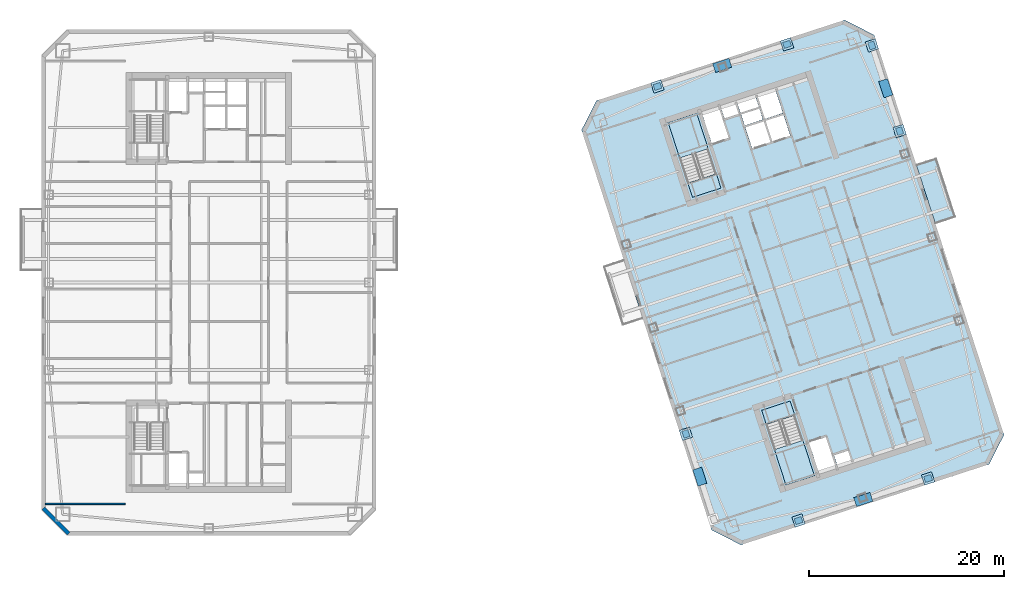
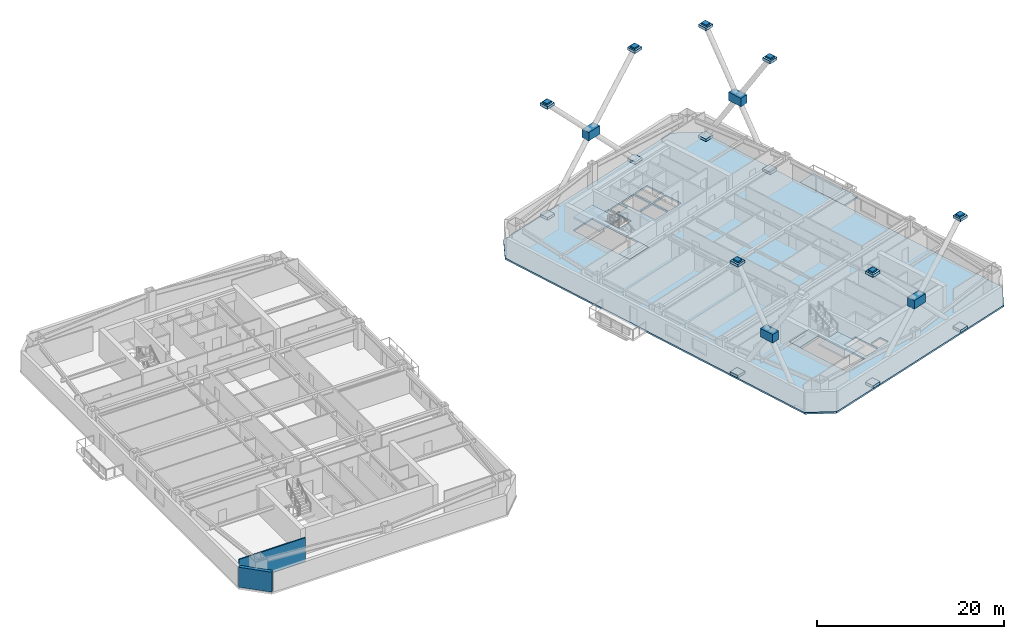
# One storey, part 5 of 17: 25 plates, 6 slabs, 2 walls, 2 elements without a shape of their own.
"""IFC4 building model written with IfcOpenShell, lengths in metres."""

from ifc_helpers import new_model, si_unit, direction, frame, frame_2d, origin, origin_2d, place, context, subcontext, project, spatial, polyline, rectangle, outline, extrude, material, layer, layer_set, type_object, element, aggregate, save


model = new_model("IFC4")

# Units and contexts
model_context = context("Model", 3, precision=1e-05, world=origin(), true_north=direction((0.0, 1.0)))
body_context = subcontext(model_context, "Body", "Model", "MODEL_VIEW")
ifc_project = project(units=[si_unit("LENGTHUNIT", "METRE"), si_unit("AREAUNIT", "SQUARE_METRE"), si_unit("VOLUMEUNIT", "CUBIC_METRE"), si_unit("PLANEANGLEUNIT", "RADIAN"), si_unit("MASSUNIT", "GRAM", prefix="KILO")], contexts=[model_context])

# Site, building, storey
site_placement = place(None, origin())
site = spatial("IfcSite", under=ifc_project, at=site_placement, CompositionType="ELEMENT")
building_placement = place(site_placement, origin())
building = spatial("IfcBuilding", under=site, at=building_placement, Name="Qiaolan Cultural Towers", CompositionType="ELEMENT")
storey_placement = place(building_placement, frame((0.0, 0.0, 177.10009765625)))
storey = spatial("IfcBuildingStorey", under=building, at=storey_placement, Name="L47", CompositionType="ELEMENT", Elevation=177.10009765625)

# Plates
ifc_material_1 = material(Name="Steel Q355B", Category="steel")
ifc_layer_1 = layer(ifc_material_1, 0.035888671875)
ifc_layer_set_1 = layer_set([ifc_layer_1], Name="Steel Q355B")
plate_type_1 = type_object("IfcPlateType", Name="PL-CONN-36", PredefinedType="USERDEFINED", material=ifc_layer_set_1)
for number, where, z_axis, x_axis, name in (
    (1, (79.019287109375, 18.445556640625, 14.27978515625), (0.0, 0.0, 1.0), (-0.309016961177, 0.951056527082, 0.0), "L47 Brace End Connection Gusset Plate GP-02-0548"),
    (2, (98.122314453125, 58.351806640625, 14.27978515625), (0.0, 0.0, 1.0), (-0.309016961177, 0.951056527082, 0.0), "L47 Brace End Connection Gusset Plate GP-02-0550"),
    (3, (100.980712890625, 49.554443359375, 14.27978515625), (0.0, 0.0, 1.0), (-0.309016961177, 0.951056527082, 0.0), "L47 Brace End Connection Gusset Plate GP-02-0551"),
    (4, (103.90380859375, 13.86083984375, 14.27978515625), (0.0, 0.0, 1.0), (0.951056510902, 0.309017010974, 0.0), "L47 Brace End Connection Gusset Plate GP-02-0552"),
    (5, (90.589111328125, 9.53466796875, 14.27978515625), (0.0, 0.0, 1.0), (0.951056510902, 0.309017010974, 0.0), "L47 Brace End Connection Gusset Plate GP-02-0553"),
    (6, (89.410888671875, 58.46533203125, 14.27978515625), (0.0, 0.0, 1.0), (0.951056510902, 0.309017010974, 0.0), "L47 Brace End Connection Gusset Plate GP-02-0554"),
    (7, (76.09619140625, 54.13916015625, 14.27978515625), (0.0, 0.0, 1.0), (0.951056510902, 0.309017010974, 0.0), "L47 Brace End Connection Gusset Plate GP-02-0555"),
):
    element("IfcPlate", number, at=place(storey_placement, frame(where, z_axis=z_axis, x_axis=x_axis)), inside=storey, type_object=plate_type_1, Name=name, ObjectType="GUSSET_PLATE", PredefinedType="USERDEFINED", context=body_context, shape_type="SweptSolid", body=[
        extrude(rectangle(XDim=0.739990234375, YDim=0.6201171875, at=origin_2d()), origin(), (0.0, 0.0, 1.0), 0.739990234375),
    ])
ifc_material_2 = material(Name="Steel Q355B", Category="steel")
ifc_layer_2 = layer(ifc_material_2, 0.030029296875)
ifc_layer_set_2 = layer_set([ifc_layer_2], Name="Steel Q355B")
plate_type_2 = type_object("IfcPlateType", Name="PL-ENDCAP-30", PredefinedType="USERDEFINED", material=ifc_layer_set_2)
for number, where, z_axis, x_axis, name in (
    (8, (79.019287109375, 18.445556640625, -0.025146484375), (0.0, 0.0, 1.0), (-0.309016994375, 0.951056516295, 0.0), "Hollow Brace End Seal Cap Plate CP-01"),
    (9, (79.019287109375, 18.445556640625, 14.474853515625), (0.0, 0.0, 1.0), (-0.309016994375, 0.951056516295, 0.0), "Hollow Brace End Seal Cap Plate CP-01"),
    (10, (100.980712890625, 49.554443359375, -0.025146484375), (0.0, 0.0, 1.0), (-0.309016994375, 0.951056516295, 0.0), "Hollow Brace End Seal Cap Plate CP-01"),
    (11, (98.122314453125, 58.351806640625, -0.025146484375), (0.0, 0.0, 1.0), (-0.309016994375, 0.951056516295, 0.0), "Hollow Brace End Seal Cap Plate CP-01"),
    (12, (100.980712890625, 49.554443359375, 14.474853515625), (0.0, 0.0, 1.0), (-0.309016994375, 0.951056516295, 0.0), "Hollow Brace End Seal Cap Plate CP-01"),
    (13, (98.122314453125, 58.351806640625, 14.474853515625), (0.0, 0.0, 1.0), (-0.309016994375, 0.951056516295, 0.0), "Hollow Brace End Seal Cap Plate CP-01"),
    (14, (90.589111328125, 9.53466796875, -0.025146484375), (0.0, 0.0, 1.0), (0.951056516295, 0.309016994375, 0.0), "Hollow Brace End Seal Cap Plate CP-01"),
    (15, (103.90380859375, 13.86083984375, -0.025146484375), (0.0, 0.0, 1.0), (0.951056516295, 0.309016994375, 0.0), "Hollow Brace End Seal Cap Plate CP-01"),
    (16, (90.589111328125, 9.53466796875, 14.474853515625), (0.0, 0.0, 1.0), (0.951056516295, 0.309016994375, 0.0), "Hollow Brace End Seal Cap Plate CP-01"),
    (17, (103.90380859375, 13.86083984375, 14.474853515625), (0.0, 0.0, 1.0), (0.951056516295, 0.309016994375, 0.0), "Hollow Brace End Seal Cap Plate CP-01"),
    (18, (76.09619140625, 54.13916015625, -0.025146484375), (0.0, 0.0, 1.0), (0.951056516295, 0.309016994375, 0.0), "Hollow Brace End Seal Cap Plate CP-01"),
    (19, (89.410888671875, 58.46533203125, -0.025146484375), (0.0, 0.0, 1.0), (0.951056516295, 0.309016994375, 0.0), "Hollow Brace End Seal Cap Plate CP-01"),
    (20, (76.09619140625, 54.13916015625, 14.474853515625), (0.0, 0.0, 1.0), (0.951056516295, 0.309016994375, 0.0), "Hollow Brace End Seal Cap Plate CP-01"),
    (21, (89.410888671875, 58.46533203125, 14.474853515625), (0.0, 0.0, 1.0), (0.951056516295, 0.309016994375, 0.0), "Hollow Brace End Seal Cap Plate CP-01"),
):
    element("IfcPlate", number, at=place(storey_placement, frame(where, z_axis=z_axis, x_axis=x_axis)), inside=storey, type_object=plate_type_2, Name=name, ObjectType="BASE_PLATE", PredefinedType="USERDEFINED", context=body_context, shape_type="SweptSolid", body=[
        extrude(rectangle(XDim=1.10009765625, YDim=1.10009765625, at=origin_2d()), origin(), (0.0, 0.0, 1.0), 0.35009765625),
    ])
ifc_material_3 = material(Name="Steel Q390GJB", Category="steel")
ifc_layer_3 = layer(ifc_material_3, 0.0439453125)
ifc_layer_set_3 = layer_set([ifc_layer_3], Name="Steel Q390GJB")
plate_type_3 = type_object("IfcPlateType", Name="PL-NODE-ND02", PredefinedType="USERDEFINED", material=ifc_layer_set_3)
plate_1_placement = place(storey_placement, frame((80.448486328125, 14.046875, 6.849853515625), z_axis=(0.0, 0.0, 1.0), x_axis=(-0.309016994375, 0.951056516295, 0.0)))
element("IfcPlate", 22, at=plate_1_placement, inside=storey, type_object=plate_type_3, Name="Perimeter Frame Gusset Node Assembly ND-02", ObjectType="GUSSET_PLATE", PredefinedType="USERDEFINED", context=body_context, shape_type="SweptSolid", body=[
    extrude(rectangle(XDim=1.760009765625, YDim=0.9599609375, at=origin_2d()), origin(), (0.0, 0.0, 1.0), 1.10009765625),
])
ifc_material_4 = material(Name="Steel Q390GJB", Category="steel")
ifc_layer_4 = layer(ifc_material_4, 0.0458984375)
ifc_layer_set_4 = layer_set([ifc_layer_4], Name="Steel Q390GJB")
plate_type_4 = type_object("IfcPlateType", Name="PL-NODE-ND03", PredefinedType="USERDEFINED", material=ifc_layer_set_4)
plate_2_placement = place(storey_placement, frame((99.551513671875, 53.953125, 6.849853515625), z_axis=(0.0, 0.0, 1.0), x_axis=(-0.309016994375, 0.951056516295, 0.0)))
element("IfcPlate", 23, at=plate_2_placement, inside=storey, type_object=plate_type_4, Name="Perimeter Frame Gusset Node Assembly ND-03", ObjectType="GUSSET_PLATE", PredefinedType="USERDEFINED", context=body_context, shape_type="SweptSolid", body=[
    extrude(rectangle(XDim=1.760009765625, YDim=0.9599609375, at=origin_2d()), origin(), (0.0, 0.0, 1.0), 1.10009765625),
])
ifc_material_5 = material(Name="Steel Q390GJB", Category="steel")
ifc_layer_5 = layer(ifc_material_5, 0.0400390625)
ifc_layer_set_5 = layer_set([ifc_layer_5], Name="Steel Q390GJB")
plate_type_5 = type_object("IfcPlateType", Name="PL-NODE-ND04", PredefinedType="USERDEFINED", material=ifc_layer_set_5)
plate_3_placement = place(storey_placement, frame((97.246337890625, 11.69775390625, 6.849853515625), z_axis=(0.0, 0.0, 1.0), x_axis=(0.951056516295, 0.309016994375, 0.0)))
element("IfcPlate", 24, at=plate_3_placement, inside=storey, type_object=plate_type_5, Name="Perimeter Frame Gusset Node Assembly ND-04", ObjectType="GUSSET_PLATE", PredefinedType="USERDEFINED", context=body_context, shape_type="SweptSolid", body=[
    extrude(rectangle(XDim=1.760009765625, YDim=0.9599609375, at=origin_2d()), origin(), (0.0, 0.0, 1.0), 1.10009765625),
])
ifc_material_6 = material(Name="Steel Q390GJB", Category="steel")
ifc_layer_6 = layer(ifc_material_6, 0.0419921875)
ifc_layer_set_6 = layer_set([ifc_layer_6], Name="Steel Q390GJB")
plate_type_6 = type_object("IfcPlateType", Name="PL-NODE-ND05", PredefinedType="USERDEFINED", material=ifc_layer_set_6)
plate_4_placement = place(storey_placement, frame((82.753662109375, 56.30224609375, 6.849853515625), z_axis=(0.0, 0.0, 1.0), x_axis=(0.951056516295, 0.309016994375, 0.0)))
element("IfcPlate", 25, at=plate_4_placement, inside=storey, type_object=plate_type_6, Name="Perimeter Frame Gusset Node Assembly ND-05", ObjectType="GUSSET_PLATE", PredefinedType="USERDEFINED", context=body_context, shape_type="SweptSolid", body=[
    extrude(rectangle(XDim=1.760009765625, YDim=0.9599609375, at=origin_2d()), origin(), (0.0, 0.0, 1.0), 1.10009765625),
])

# Slab
ifc_material_7 = material(Name="Concrete C45", Category="concrete")
ifc_layer_7 = layer(ifc_material_7, 0.239990234375)
ifc_layer_set_7 = layer_set([ifc_layer_7], Name="Concrete C45")
slab_type_1 = type_object("IfcSlabType", Name="SL-BAL-240", PredefinedType="FLOOR", material=ifc_layer_set_7)
slab_1_placement = place(storey_placement, frame((0.0, 0.0, -0.239990234375)))
element("IfcSlab", 26, at=slab_1_placement, inside=storey, type_object=slab_type_1, Name="L47 T2 Planted Tree Balcony E", PredefinedType="FLOOR", context=body_context, shape_type="SweptSolid", body=[
    extrude(outline(polyline([(104.65576171875, 40.023681640625), (106.748291015625, 40.70361328125), (104.7705078125, 46.790283203125), (102.67822265625, 46.110595703125), (104.65576171875, 40.023681640625)])), origin(), (0.0, 0.0, 1.0), 0.239990234375),
])

# Stair, slab
ifc_material_8 = material(Name="Concrete C45", Category="concrete")
stair_type = type_object("IfcStairType", Name="STR-CORE-1500", PredefinedType="HALF_TURN_STAIR", material=ifc_material_8)
stair_1_placement = place(storey_placement, origin())
stair_1 = element("IfcStair", 27, at=stair_1_placement, inside=storey, type_object=stair_type, Name="L47 Smokeproof Exit Stair ST-E1", PredefinedType="HALF_TURN_STAIR")
ifc_material_9 = material(Name="Concrete C45", Category="concrete")
ifc_layer_8 = layer(ifc_material_9, 0.199951171875)
ifc_layer_set_8 = layer_set([ifc_layer_8], Name="Concrete C45")
slab_type_2 = type_object("IfcSlabType", Name="SL-STAIR-LAND", PredefinedType="LANDING", material=ifc_layer_set_8)
slab_2_placement = place(storey_placement, frame((0.0, 0.0, 1.52490234375)))
slab_2 = element("IfcSlab", 28, at=slab_2_placement, type_object=slab_type_2, Name="ST-E1 landing 1", PredefinedType="LANDING", context=body_context, shape_type="SweptSolid", body=[
    extrude(outline(polyline([(88.114013671875, 16.828125), (89.30419921875, 13.165283203125), (92.2333984375, 14.116943359375), (91.04345703125, 17.77978515625), (88.114013671875, 16.828125)])), origin(), (0.0, 0.0, 1.0), 0.199951171875),
])
aggregate(stair_1, [slab_2])

stair_2_placement = place(storey_placement, origin())
stair_2 = element("IfcStair", 29, at=stair_2_placement, inside=storey, type_object=stair_type, Name="L47 Smokeproof Exit Stair ST-E2", PredefinedType="HALF_TURN_STAIR")
slab_3_placement = place(storey_placement, frame((0.0, 0.0, 1.52490234375)))
slab_3 = element("IfcSlab", 30, at=slab_3_placement, type_object=slab_type_2, Name="ST-E2 landing 1", PredefinedType="LANDING", context=body_context, shape_type="SweptSolid", body=[
    extrude(outline(polyline([(81.31005859375, 47.735595703125), (80.1201171875, 51.3984375), (77.190673828125, 50.44677734375), (78.380859375, 46.783935546875), (81.31005859375, 47.735595703125)])), origin(), (0.0, 0.0, 1.0), 0.199951171875),
])
aggregate(stair_2, [slab_3])

# Slabs
ifc_material_10 = material(Name="Concrete C40", Category="concrete")
ifc_layer_9 = layer(ifc_material_10, 0.360107421875)
ifc_layer_set_9 = layer_set([ifc_layer_9], Name="Concrete C40")
slab_type_3 = type_object("IfcSlabType", Name="SL-STFLR-360", PredefinedType="LANDING", material=ifc_layer_set_9)
slab_4_placement = place(storey_placement, frame((0.0, 0.0, -0.360107421875)))
element("IfcSlab", 31, at=slab_4_placement, inside=storey, type_object=slab_type_3, Name="L47 ST-E1 Stair Floor Landing Slab", PredefinedType="LANDING", context=body_context, shape_type="SweptSolid", body=[
    extrude(outline(polyline([(86.8037109375, 20.867431640625), (87.282470703125, 19.39404296875), (90.2080078125, 20.3447265625), (89.729248046875, 21.818115234375), (86.8037109375, 20.867431640625)])), origin(), (0.0, 0.0, 1.0), 0.360107421875),
])
slab_5_placement = place(storey_placement, frame((0.0, 0.0, -0.360107421875)))
element("IfcSlab", 32, at=slab_5_placement, inside=storey, type_object=slab_type_3, Name="L47 ST-E2 Stair Floor Landing Slab", PredefinedType="LANDING", context=body_context, shape_type="SweptSolid", body=[
    extrude(outline(polyline([(82.62060546875, 43.6962890625), (82.141845703125, 45.169677734375), (79.21630859375, 44.21923828125), (79.695068359375, 42.74560546875), (82.62060546875, 43.6962890625)])), origin(), (0.0, 0.0, 1.0), 0.360107421875),
])
ifc_material_11 = material(Name="Concrete C45", Category="concrete")
ifc_layer_10 = layer(ifc_material_11, 0.219970703125)
ifc_layer_set_10 = layer_set([ifc_layer_10], Name="Concrete C45")
slab_type_4 = type_object("IfcSlabType", Name="SL-TYP-220", PredefinedType="FLOOR", material=ifc_layer_set_10)
slab_6_placement = place(storey_placement, frame((0.0, 0.0, -0.22021484375)))
element("IfcSlab", 33, at=slab_6_placement, inside=storey, type_object=slab_type_4, Name="L47 East Tower Floor Slab", PredefinedType="FLOOR", context=body_context, shape_type="SweptSolid", body=[
    extrude(outline(polyline([(84.67236328125, 7.033935546875), (110.16064453125, 15.3154296875), (111.701416015625, 18.339599609375), (98.351806640625, 59.42529296875), (95.32763671875, 60.966064453125), (69.83935546875, 52.6845703125), (68.298583984375, 49.660400390625), (81.648193359375, 8.57470703125), (84.67236328125, 7.033935546875)]), holes=[polyline([(86.80126953125, 20.868896484375), (89.30419921875, 13.165283203125), (92.2333984375, 14.116943359375), (89.73046875, 21.820556640625), (86.80126953125, 20.868896484375)]), polyline([(82.623046875, 43.69482421875), (80.1201171875, 51.3984375), (77.190673828125, 50.44677734375), (79.69384765625, 42.7431640625), (82.623046875, 43.69482421875)]), polyline([(92.666259765625, 14.468017578125), (94.42578125, 15.03955078125), (93.42138671875, 18.130615234375), (91.661865234375, 17.558837890625), (92.666259765625, 14.468017578125)]), polyline([(94.5908203125, 15.14599609375), (96.027099609375, 15.612548828125), (95.66552734375, 16.725341796875), (94.2294921875, 16.258544921875), (94.5908203125, 15.14599609375)]), polyline([(81.6806640625, 48.278076171875), (83.440185546875, 48.849609375), (82.435791015625, 51.940673828125), (80.67626953125, 51.368896484375), (81.6806640625, 48.278076171875)]), polyline([(82.993408203125, 50.839111328125), (84.4296875, 51.3056640625), (84.068115234375, 52.41845703125), (82.632080078125, 51.95166015625), (82.993408203125, 50.839111328125)]), polyline([(85.810302734375, 47.80078125), (87.71240234375, 48.418701171875), (87.013916015625, 50.568115234375), (85.11181640625, 49.9501953125), (85.810302734375, 47.80078125)]), polyline([(87.902587890625, 48.480712890625), (89.74755859375, 49.080078125), (89.04931640625, 51.2294921875), (87.2041015625, 50.6298828125), (87.902587890625, 48.480712890625)]), polyline([(85.05322265625, 50.130859375), (86.936279296875, 50.74267578125), (86.169921875, 53.101318359375), (84.286865234375, 52.489501953125), (85.05322265625, 50.130859375)]), polyline([(87.1455078125, 50.810791015625), (88.990478515625, 51.41015625), (88.22412109375, 53.768798828125), (86.379150390625, 53.169189453125), (87.1455078125, 50.810791015625)])]), origin(), (0.0, 0.0, 1.0), 0.22021484375),
])

# Walls
ifc_material_12 = material(Name="Precast Concrete C50 Honed Stone Pier", Category="masonry")
ifc_layer_11 = layer(ifc_material_12, 0.39990234375)
ifc_layer_set_11 = layer_set([ifc_layer_11], Name="Precast Concrete C50 Honed Stone Pier")
wall_type_1 = type_object("IfcWallType", Name="WL-EXT-PIER-400", PredefinedType="SOLIDWALL", material=ifc_layer_set_11)
wall_1_placement = place(storey_placement, frame((15.60009765625, 8.199951171875, 0.0), z_axis=(0.0, 0.0, 1.0), x_axis=(-0.707106781187, 0.707106781187, 0.0)))
element("IfcWall", 34, at=wall_1_placement, inside=storey, type_object=wall_type_1, Name="L47 West Tower Precast Pier Facade Wall F8", PredefinedType="SOLIDWALL", context=body_context, shape_type="SweptSolid", body=[
    extrude(rectangle(XDim=3.677001953125, YDim=0.39990234375, at=frame_2d((1.83837890625, 0.0))), origin(), (0.0, 0.0, 1.0), 2.60986328125),
])
ifc_material_13 = material(Name="Autoclaved Aerated Concrete Block B06", Category="concrete")
ifc_layer_12 = layer(ifc_material_13, 0.14990234375)
ifc_layer_set_12 = layer_set([ifc_layer_12], Name="Autoclaved Aerated Concrete Block B06")
wall_type_2 = type_object("IfcWallType", Name="WL-PART-150", PredefinedType="PARTITIONING", material=ifc_layer_set_12)
wall_2_placement = place(storey_placement, frame((13.199951171875, 11.25, 0.0), z_axis=(0.0, 0.0, 1.0), x_axis=(1.0, 0.0, 0.0)))
element("IfcWall", 35, at=wall_2_placement, inside=storey, type_object=wall_type_2, Name="L47 T1 Flank Wall FLK-SW", PredefinedType="PARTITIONING", context=body_context, shape_type="SweptSolid", body=[
    extrude(rectangle(XDim=8.199951171875, YDim=0.14990234375, at=frame_2d((4.10009765625, 0.0))), origin(), (0.0, 0.0, 1.0), 3.1748046875),
])

save(model, "model.ifc")
